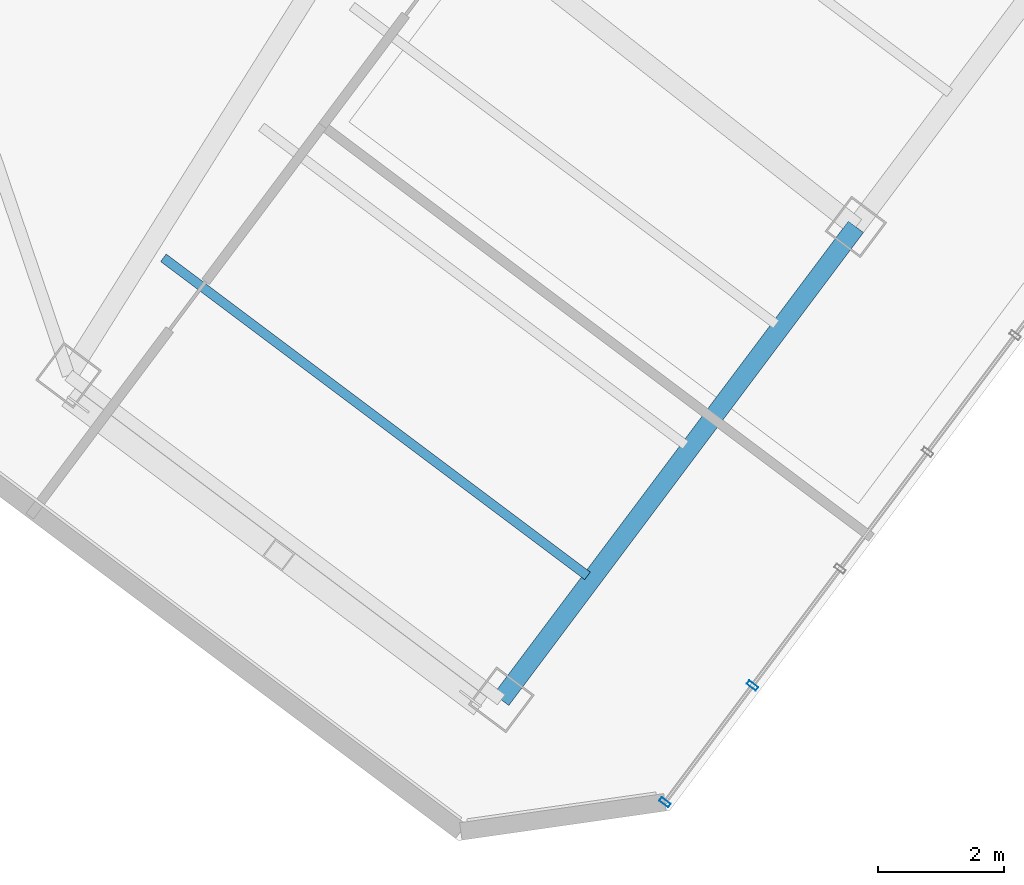
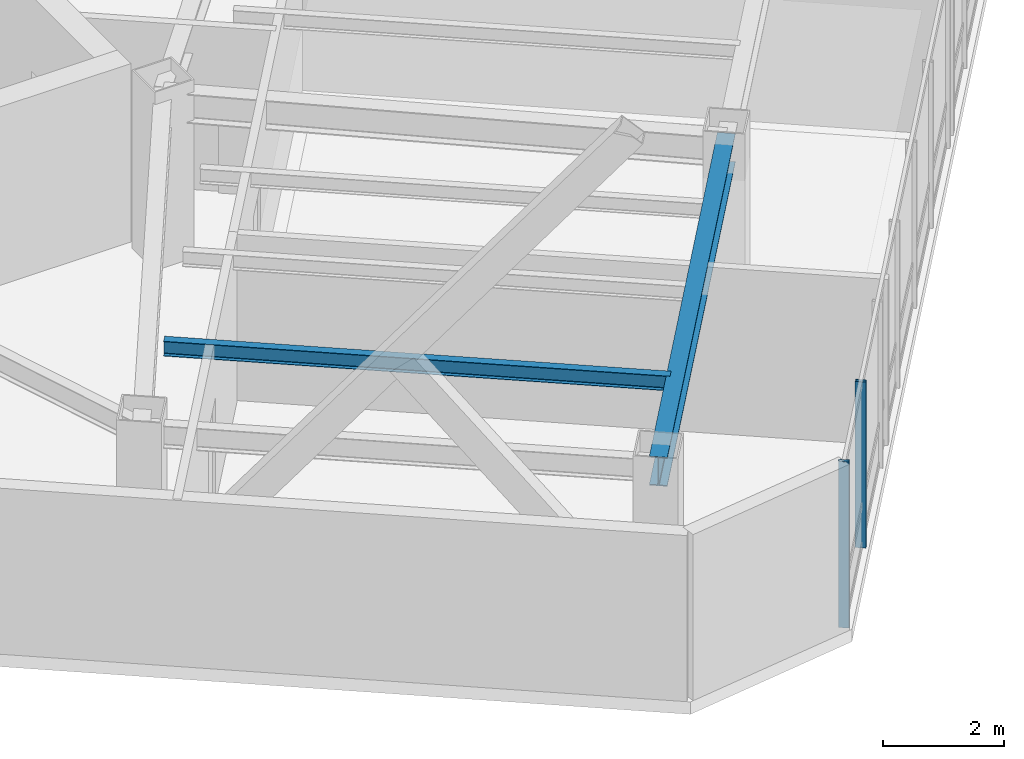
# One storey, part 2 of 24: 2 beams, 2 members, 1 element without a shape of its own.
"""IFC4 building model written with IfcOpenShell, lengths in metres."""

import ifcopenshell
import ifcopenshell.guid

model = None  # the IFC model being written
_history = None  # IfcOwnerHistory: only IFC2X3 demands one
_inside = {}  # id of a spatial element -> (the spatial element, [elements in it])
_under = {}  # id of a project, library or spatial element -> (it, [spatial elements below it])
_declared = {}  # id of a project -> (the project, [libraries it declares])
_typed = {}  # id of a type object -> (the type object, [elements of that type])
_made_of = {}  # id of a material, layer set ... -> (it, [elements and type objects made of it])


def new_model(schema):
    """Start an empty IFC model of exactly this schema.

    Asked for "IFC4X3", IfcOpenShell would pick the latest addendum, in which some entities
    have other attributes; the version numbers below select the first issue.
    IFC2X3 requires an IfcOwnerHistory on every rooted entity: one is made here for all.
    """
    global model, _history
    if schema == "IFC4X3":
        model = ifcopenshell.file(schema_version=(4, 3, 0, 0))
    else:
        model = ifcopenshell.file(schema=schema)
    _inside.clear()
    _under.clear()
    _declared.clear()
    _typed.clear()
    _made_of.clear()
    _history = None
    if model.schema == "IFC2X3":
        org = make("IfcOrganization", Name="unknown")
        user = make(
            "IfcPersonAndOrganization",
            ThePerson=make("IfcPerson", FamilyName="unknown"),
            TheOrganization=org,
        )
        app = make(
            "IfcApplication",
            ApplicationDeveloper=org,
            Version="unknown",
            ApplicationFullName="unknown",
            ApplicationIdentifier="unknown",
        )
        _history = make(
            "IfcOwnerHistory",
            OwningUser=user,
            OwningApplication=app,
            ChangeAction="ADDED",
            CreationDate=0,
        )
    return model


def make(cls, **values):
    """One entity of the class cls with the attributes given. An attribute that is None is left unset."""
    return model.create_entity(
        cls, **{name: value for name, value in values.items() if value is not None}
    )


def rooted(cls, **values):
    """An entity with a GlobalId (a new one), such as an element, a storey or a relation."""
    return make(cls, GlobalId=ifcopenshell.guid.new(), OwnerHistory=_history, **values)


def si_unit(unit_type, name, prefix=None):
    """IfcSIUnit, for example si_unit("LENGTHUNIT", "METRE", prefix="MILLI")."""
    return make("IfcSIUnit", UnitType=unit_type, Prefix=prefix, Name=name)


def assignment(units):
    """IfcUnitAssignment: the units of a project."""
    return None if units is None else make("IfcUnitAssignment", Units=units)


def point(xyz):
    """IfcCartesianPoint."""
    return None if xyz is None else make("IfcCartesianPoint", Coordinates=xyz)


def direction(xyz):
    """IfcDirection."""
    return None if xyz is None else make("IfcDirection", DirectionRatios=xyz)


def frame(location, z_axis=None, x_axis=None):
    """IfcAxis2Placement3D, a coordinate frame: its origin and axes. An axis left out is left unset."""
    return make(
        "IfcAxis2Placement3D",
        Location=point(location),
        Axis=direction(z_axis),
        RefDirection=direction(x_axis),
    )


def frame_2d(location, x_axis=None):
    """IfcAxis2Placement2D, a coordinate frame in the plane: its origin and x axis."""
    return make(
        "IfcAxis2Placement2D", Location=point(location), RefDirection=direction(x_axis)
    )


def origin():
    """The frame at (0, 0, 0) with its axes left unset."""
    return frame((0.0, 0.0, 0.0))


def origin_2d():
    """The frame at (0, 0) in the plane with its x axis left unset."""
    return frame_2d((0.0, 0.0))


def place(relative_to, where):
    """IfcLocalPlacement: puts the frame where relative to a parent placement (None: the world)."""
    return make(
        "IfcLocalPlacement", PlacementRelTo=relative_to, RelativePlacement=where
    )


def context(
    kind, dimensions, precision=None, world=None, true_north=None, identifier=None
):
    """IfcGeometricRepresentationContext, for example the 3D "Model" context."""
    return make(
        "IfcGeometricRepresentationContext",
        ContextIdentifier=identifier,
        ContextType=kind,
        CoordinateSpaceDimension=dimensions,
        Precision=precision,
        WorldCoordinateSystem=world,
        TrueNorth=true_north,
    )


def subcontext(parent, identifier, kind, view, scale=None):
    """IfcGeometricRepresentationSubContext, for example "Body" below "Model"."""
    return make(
        "IfcGeometricRepresentationSubContext",
        ContextIdentifier=identifier,
        ContextType=kind,
        ParentContext=parent,
        TargetScale=scale,
        TargetView=view,
    )


def project(units=None, contexts=None):
    """IfcProject with its units and contexts."""
    return rooted(
        "IfcProject",
        Name="project",
        RepresentationContexts=contexts,
        UnitsInContext=assignment(units),
    )


def spatial(cls, under=None, at=None, **own):
    """A site, building, storey or space (cls), placed at a placement, below another one or the project."""
    s = rooted(cls, ObjectPlacement=at, **own)
    if under is not None:
        _under.setdefault(under.id(), (under, []))[1].append(s)
    return s


def profile(cls, at=None, kind="AREA", **sizes):
    """A parametric profile (cls). Its sizes go by their IFC names, for example OverallWidth=200.0."""
    return make(cls, ProfileType=kind, Position=at, **sizes)


def hollow_rectangle(**sizes):
    """IfcRectangleHollowProfileDef."""
    return profile("IfcRectangleHollowProfileDef", **sizes)


def i_section(**sizes):
    """IfcIShapeProfileDef."""
    return profile("IfcIShapeProfileDef", **sizes)


def extrude(swept, where, along, depth):
    """IfcExtrudedAreaSolid: the profile swept, set in the frame where, extruded along a direction by depth."""
    return make(
        "IfcExtrudedAreaSolid",
        SweptArea=swept,
        Position=where,
        ExtrudedDirection=direction(along),
        Depth=depth,
    )


def shape(context_of_items, identifier, shape_type, items):
    """IfcShapeRepresentation: the items that make up one representation, for example the "Body"."""
    return make(
        "IfcShapeRepresentation",
        ContextOfItems=context_of_items,
        RepresentationIdentifier=identifier,
        RepresentationType=shape_type,
        Items=items,
    )


def material(Name=None, Category=None):
    """IfcMaterial."""
    return make("IfcMaterial", Name=Name, Category=Category)


def layer(
    of_material, thickness, ventilated=None, Name=None, Category=None, Priority=None
):
    """IfcMaterialLayer: one layer of a wall or slab, of a material (None: an air gap)."""
    return make(
        "IfcMaterialLayer",
        Material=of_material,
        LayerThickness=thickness,
        IsVentilated=ventilated,
        Name=Name,
        Category=Category,
        Priority=Priority,
    )


def layer_set(layers, Name=None):
    """IfcMaterialLayerSet."""
    return make("IfcMaterialLayerSet", MaterialLayers=layers, LayerSetName=Name)


def material_profile(
    of_material, cross_section, Name=None, Category=None, Priority=None
):
    """IfcMaterialProfile: a cross section and its material."""
    return make(
        "IfcMaterialProfile",
        Name=Name,
        Material=of_material,
        Profile=cross_section,
        Priority=Priority,
        Category=Category,
    )


def profile_set(profiles, Name=None, composite=None):
    """IfcMaterialProfileSet."""
    return make(
        "IfcMaterialProfileSet",
        Name=Name,
        MaterialProfiles=profiles,
        CompositeProfile=composite,
    )


def made_of(thing, what):
    """Note that an element or type object is made of a material, layer set ...; save() writes the relation."""
    if what is not None:
        _made_of.setdefault(what.id(), (what, []))[1].append(thing)
    return thing


def type_object(cls, material=None, **own):
    """A type object (cls), such as IfcWallType, which elements share."""
    return made_of(rooted(cls, **own), material)


def element(
    cls,
    number,
    at=None,
    inside=None,
    cuts=None,
    type_object=None,
    material=None,
    context=None,
    identifier="Body",
    shape_type=None,
    held_by="IfcProductDefinitionShape",
    body=None,
    shapes=None,
    **own,
):
    """One element of the class cls, such as IfcWall. Its Tag is "e" and its number.

    at: its placement. inside: the storey or other place that contains it. cuts: it is an
    opening in that element (IfcRelVoidsElement). A single representation is given by context,
    identifier, shape_type and body (its items); several are given by shapes. held_by: the class
    of the entity that holds the representations. save() writes the other relations.
    """
    e = rooted(cls, Tag="e%d" % number, ObjectPlacement=at, **own)
    if body is not None:
        shapes = [shape(context, identifier, shape_type, body)]
    if shapes is not None:
        e.Representation = make(held_by, Representations=shapes)
    if inside is not None:
        _inside.setdefault(inside.id(), (inside, []))[1].append(e)
    if cuts is not None:
        rooted(
            "IfcRelVoidsElement", RelatingBuildingElement=cuts, RelatedOpeningElement=e
        )
    if type_object is not None:
        _typed.setdefault(type_object.id(), (type_object, []))[1].append(e)
    return made_of(e, material)


def aggregate(whole, parts):
    """IfcRelAggregates: a whole, such as a stair, and the parts it consists of."""
    return rooted("IfcRelAggregates", RelatingObject=whole, RelatedObjects=parts)


def save(model, path):
    """Write the relations noted so far, then the file.

    IfcRelAggregates (storeys below a building ...), IfcRelContainedInSpatialStructure (elements
    in a storey), IfcRelDefinesByType, IfcRelAssociatesMaterial and IfcRelDeclares: one each for
    every whole, place, type object, material and project.
    """
    for whole, parts in _under.values():
        aggregate(whole, parts)
    for where, things in _inside.values():
        rooted(
            "IfcRelContainedInSpatialStructure",
            RelatedElements=things,
            RelatingStructure=where,
        )
    for kind, things in _typed.values():
        rooted("IfcRelDefinesByType", RelatedObjects=things, RelatingType=kind)
    for what, things in _made_of.values():
        rooted("IfcRelAssociatesMaterial", RelatedObjects=things, RelatingMaterial=what)
    for by, libraries in _declared.values():
        rooted("IfcRelDeclares", RelatingContext=by, RelatedDefinitions=libraries)
    model.write(path)


model = new_model("IFC4")

# Units and contexts
model_context = context("Model", 3, precision=1e-05, world=origin(), true_north=direction((0.0, 1.0)))
body_context = subcontext(model_context, "Body", "Model", "MODEL_VIEW")
ifc_project = project(units=[si_unit("LENGTHUNIT", "METRE"), si_unit("AREAUNIT", "SQUARE_METRE"), si_unit("VOLUMEUNIT", "CUBIC_METRE"), si_unit("PLANEANGLEUNIT", "RADIAN"), si_unit("MASSUNIT", "GRAM", prefix="KILO")], contexts=[model_context])

# Site, building, storey
site_placement = place(None, origin())
site = spatial("IfcSite", under=ifc_project, at=site_placement, CompositionType="ELEMENT")
building_placement = place(site_placement, origin())
building = spatial("IfcBuilding", under=site, at=building_placement, Name="Hatsunagi Terrace Concourse", CompositionType="ELEMENT")
storey_placement = place(building_placement, frame((0.0, 0.0, 213.14990234375)))
storey = spatial("IfcBuildingStorey", under=building, at=storey_placement, Name="L56", CompositionType="ELEMENT", Elevation=213.14990234375)

# Curtain wall, members
ifc_material_1 = material(Name="Anodised Aluminium Alloy 6063-T5", Category="aluminium")
ifc_layer = layer(ifc_material_1, 0.199951171875)
ifc_layer_set = layer_set([ifc_layer], Name="OfficeZone2_CW04")
curtain_wall_type = type_object("IfcCurtainWallType", Name="OfficeZone2_CW04", PredefinedType="NOTDEFINED", material=ifc_layer_set)
curtain_wall_placement = place(storey_placement, origin())
curtain_wall = element("IfcCurtainWall", 1, at=curtain_wall_placement, inside=storey, type_object=curtain_wall_type, Name="Unitised Curtain Wall CW-04 CW-L56-03", PredefinedType="NOTDEFINED")
ifc_material_2 = material(Name="Anodised Aluminium Alloy 6063-T5", Category="aluminium")
ifc_material_profile_1 = material_profile(ifc_material_2, hollow_rectangle(XDim=0.070068359375, YDim=0.179931640625, WallThickness=0.00390625, at=origin_2d()), Name="ALU-MUL-180x70x4")
ifc_profile_set_1 = profile_set([ifc_material_profile_1], Name="Anodised Aluminium Alloy 6063-T5")
member_type = type_object("IfcMemberType", Name="CurtainWallMullion_180x70", PredefinedType="MULLION", material=ifc_profile_set_1)
member_1_placement = place(storey_placement, frame((49.554931640625, 11.10595703125, 0.0), z_axis=(0.0, 0.0, 1.0), x_axis=(-0.599969314634, -0.800023013105, 0.0)))
member_1 = element("IfcMember", 2, at=member_1_placement, type_object=member_type, Name="Curtain Wall Mullion MUL-02", PredefinedType="MULLION", context=body_context, shape_type="SweptSolid", body=[
    extrude(hollow_rectangle(XDim=0.070068359375, YDim=0.179931640625, WallThickness=0.00390625, at=origin_2d()), origin(), (0.0, 0.0, 1.0), 3.35009765625),
])
member_2_placement = place(storey_placement, frame((48.1630859375, 9.25, 0.0), z_axis=(0.0, 0.0, 1.0), x_axis=(-0.599969314634, -0.800023013105, 0.0)))
member_2 = element("IfcMember", 3, at=member_2_placement, type_object=member_type, Name="Curtain Wall Mullion MUL-02", PredefinedType="MULLION", context=body_context, shape_type="SweptSolid", body=[
    extrude(hollow_rectangle(XDim=0.070068359375, YDim=0.179931640625, WallThickness=0.00390625, at=origin_2d()), origin(), (0.0, 0.0, 1.0), 3.35009765625),
])
aggregate(curtain_wall, [member_1, member_2])

# Beams
ifc_material_3 = material(Name="Steel SN490B", Category="steel")
ifc_material_profile_2 = material_profile(ifc_material_3, i_section(OverallWidth=0.300048828125, OverallDepth=0.587890625, WebThickness=0.011962890625, FlangeThickness=0.02001953125, FilletRadius=0.01806640625, at=origin_2d()), Name="H-588x300x12x20")
ifc_profile_set_2 = profile_set([ifc_material_profile_2], Name="Steel SN490B")
beam_type_1 = type_object("IfcBeamType", Name="OfficeHighGirder_H_588x300", PredefinedType="BEAM", material=ifc_profile_set_2)
beam_1_placement = place(storey_placement, frame((45.56005859375, 10.8798828125, 3.05615234375), z_axis=(0.599991688754, 0.800006233367, 0.0), x_axis=(-0.800006233367, 0.599991688754, 0.0)))
element("IfcBeam", 4, at=beam_1_placement, inside=storey, type_object=beam_type_1, Name="Beam G-06 BM-L56-SET-2A", PredefinedType="BEAM", context=body_context, shape_type="SweptSolid", body=[
    extrude(i_section(OverallWidth=0.300048828125, OverallDepth=0.587890625, WebThickness=0.011962890625, FlangeThickness=0.02001953125, FilletRadius=0.01806640625, at=origin_2d()), origin(), (0.0, 0.0, 1.0), 9.39990234375),
])
ifc_material_4 = material(Name="Steel SN490B", Category="steel")
ifc_material_profile_3 = material_profile(ifc_material_4, i_section(OverallWidth=0.14990234375, OverallDepth=0.300048828125, WebThickness=0.006591796875, FlangeThickness=0.009033203125, FilletRadius=0.010986328125, at=origin_2d()), Name="H-300x150x6.5x9")
ifc_profile_set_3 = profile_set([ifc_material_profile_3], Name="Steel SN490B")
beam_type_2 = type_object("IfcBeamType", Name="OfficeJoist_H_300x150", PredefinedType="JOIST", material=ifc_profile_set_3)
beam_2_placement = place(storey_placement, frame((40.18798828125, 17.908935546875, 3.2001953125), z_axis=(0.800003475366, -0.59999536615, 0.0), x_axis=(0.59999536615, 0.800003475366, 0.0)))
element("IfcBeam", 5, at=beam_2_placement, inside=storey, type_object=beam_type_2, Name="Beam J-03 J-L56-SE-2-46", PredefinedType="JOIST", context=body_context, shape_type="SweptSolid", body=[
    extrude(i_section(OverallWidth=0.14990234375, OverallDepth=0.300048828125, WebThickness=0.006591796875, FlangeThickness=0.009033203125, FilletRadius=0.010986328125, at=origin_2d()), origin(), (0.0, 0.0, 1.0), 8.429931640625),
])

save(model, "model.ifc")
